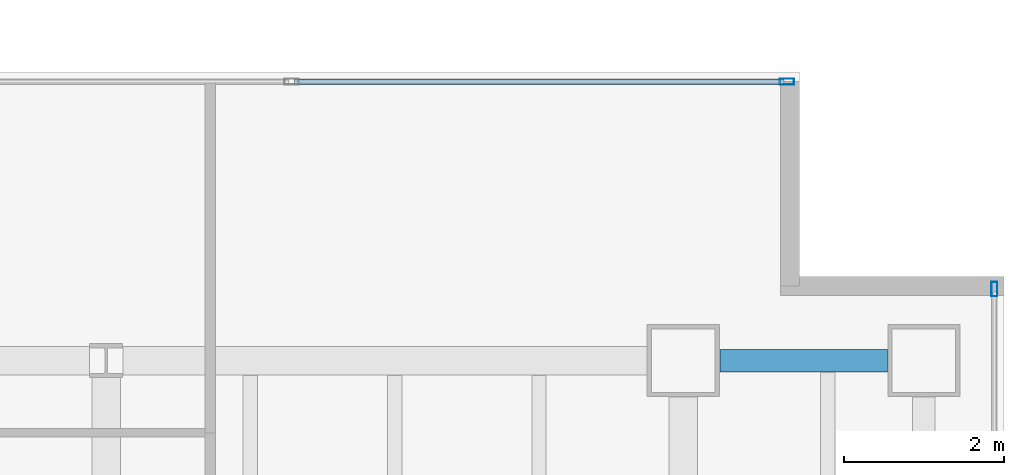
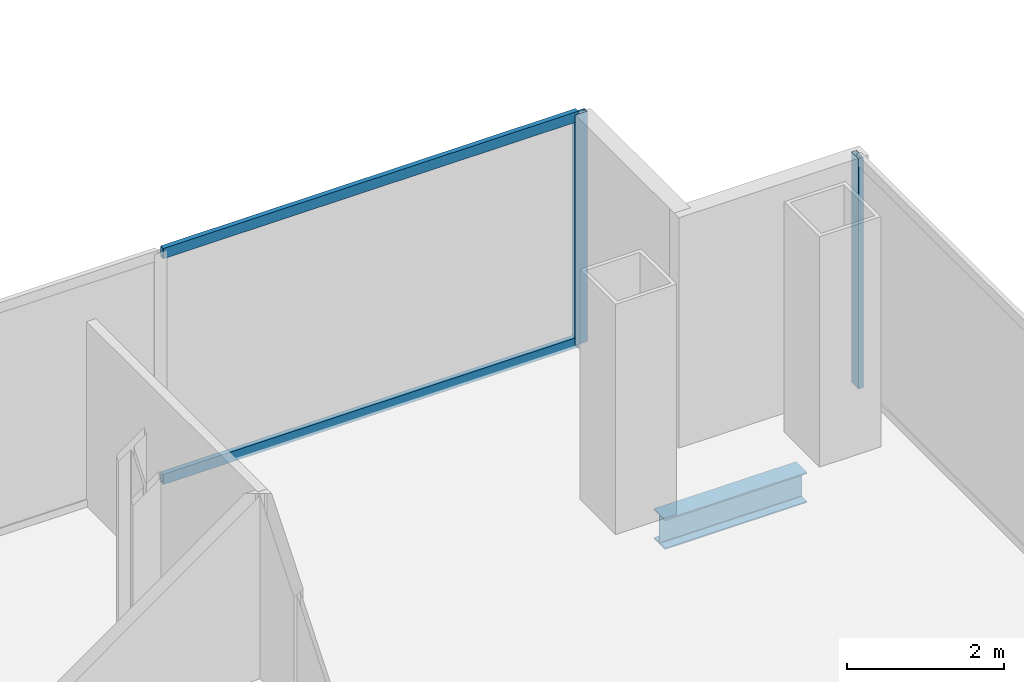
# One storey, part 15 of 23: 4 members, 1 beam, 2 elements without a shape of their own.
"""IFC4 building model written with IfcOpenShell, lengths in metres."""

from ifc_helpers import new_model, si_unit, direction, frame, origin, origin_2d, place, context, subcontext, project, spatial, hollow_rectangle, i_section, extrude, material, material_profile, profile_set, type_object, element, aggregate, save


model = new_model("IFC4")

# Units and contexts
model_context = context("Model", 3, precision=1e-05, world=origin(), true_north=direction((0.0, 1.0)))
body_context = subcontext(model_context, "Body", "Model", "MODEL_VIEW")
ifc_project = project(units=[si_unit("LENGTHUNIT", "METRE"), si_unit("AREAUNIT", "SQUARE_METRE"), si_unit("VOLUMEUNIT", "CUBIC_METRE"), si_unit("PLANEANGLEUNIT", "RADIAN"), si_unit("MASSUNIT", "GRAM", prefix="KILO")], contexts=[model_context])

# Site, building, storey
site_placement = place(None, origin())
site = spatial("IfcSite", under=ifc_project, at=site_placement, CompositionType="ELEMENT")
building_placement = place(site_placement, origin())
building = spatial("IfcBuilding", under=site, at=building_placement, Name="Cobrela Telecom Tower", CompositionType="ELEMENT")
storey_placement = place(building_placement, frame((0.0, 0.0, 133.0)))
storey = spatial("IfcBuildingStorey", under=building, at=storey_placement, Name="L33", CompositionType="ELEMENT", Elevation=133.0)

# Beam
ifc_material_1 = material(Name="Steel ASTM A992 Grade 50", Category="steel")
ifc_material_profile_1 = material_profile(ifc_material_1, i_section(OverallWidth=0.281982421875, OverallDepth=0.467041015625, WebThickness=0.01220703125, FlangeThickness=0.01953125, FilletRadius=0.012939453125, at=origin_2d()), Name="W18X86")
ifc_profile_set_1 = profile_set([ifc_material_profile_1], Name="Steel ASTM A992 Grade 50")
beam_type = type_object("IfcBeamType", Name="BM-SPAND-04", PredefinedType="SPANDREL", material=ifc_profile_set_1)
beam_placement = place(storey_placement, frame((43.655029296875, 21.60009765625, -0.50341796875), z_axis=(1.0, 0.0, 0.0), x_axis=(0.0, 1.0, 0.0)))
element("IfcBeam", 1, at=beam_placement, inside=storey, type_object=beam_type, Name="L33 Perimeter Spandrel X22", PredefinedType="SPANDREL", context=body_context, shape_type="SweptSolid", body=[
    extrude(i_section(OverallWidth=0.281982421875, OverallDepth=0.467041015625, WebThickness=0.01220703125, FlangeThickness=0.01953125, FilletRadius=0.012939453125, at=origin_2d()), origin(), (0.0, 0.0, 1.0), 2.090087890625),
])

# Curtain wall, member
ifc_material_2 = material(Name="Anodized Bronze Aluminium 6063-T6", Category="aluminium")
curtain_wall_type = type_object("IfcCurtainWallType", Name="CW-SYS-TEL", PredefinedType="USERDEFINED", material=ifc_material_2)
curtain_wall_1_placement = place(storey_placement, origin())
curtain_wall_1 = element("IfcCurtainWall", 2, at=curtain_wall_1_placement, inside=storey, type_object=curtain_wall_type, Name="L33 Unitised Bronze Curtain Wall 11", ObjectType="UNITISED CURTAIN WALL", PredefinedType="USERDEFINED")
ifc_material_profile_2 = material_profile(ifc_material_2, hollow_rectangle(XDim=0.074951171875, YDim=0.179931640625, WallThickness=0.00390625, at=origin_2d()), Name="ALU 75x180x4")
ifc_profile_set_2 = profile_set([ifc_material_profile_2], Name="Anodized Bronze Aluminium 6063-T6")
member_type_1 = type_object("IfcMemberType", Name="CW-SYS-TEL-MUL", PredefinedType="MULLION", material=ifc_profile_set_2)
member_1_placement = place(storey_placement, frame((44.492431640625, 25.080078125, 0.0), z_axis=(0.0, 0.0, 1.0), x_axis=(0.0, 1.0, 0.0)))
member_1 = element("IfcMember", 3, at=member_1_placement, type_object=member_type_1, Name="CW-TEL mullion 4", PredefinedType="MULLION", context=body_context, shape_type="SweptSolid", body=[
    extrude(hollow_rectangle(XDim=0.074951171875, YDim=0.179931640625, WallThickness=0.00390625, at=origin_2d()), origin(), (0.0, 0.0, 1.0), 3.580078125),
])

curtain_wall_2_placement = place(storey_placement, origin())
curtain_wall_2 = element("IfcCurtainWall", 4, at=curtain_wall_2_placement, inside=storey, type_object=curtain_wall_type, Name="L33 Unitised Bronze Curtain Wall 14", ObjectType="UNITISED CURTAIN WALL", PredefinedType="USERDEFINED")
member_2_placement = place(storey_placement, frame((47.080078125, 22.492431640625, 0.0), z_axis=(0.0, 0.0, 1.0), x_axis=(1.0, 0.0, 0.0)))
member_2 = element("IfcMember", 5, at=member_2_placement, type_object=member_type_1, Name="CW-TEL mullion 1", PredefinedType="MULLION", context=body_context, shape_type="SweptSolid", body=[
    extrude(hollow_rectangle(XDim=0.074951171875, YDim=0.179931640625, WallThickness=0.00390625, at=origin_2d()), origin(), (0.0, 0.0, 1.0), 3.580078125),
])
aggregate(curtain_wall_2, [member_2])

# Member
ifc_material_profile_3 = material_profile(ifc_material_2, hollow_rectangle(XDim=0.070068359375, YDim=0.159912109375, WallThickness=0.00390625, at=origin_2d()), Name="ALU 70x160x4")
ifc_profile_set_3 = profile_set([ifc_material_profile_3], Name="Anodized Bronze Aluminium 6063-T6")
member_type_2 = type_object("IfcMemberType", Name="CW-SYS-TEL-TRN", PredefinedType="USERDEFINED", material=ifc_profile_set_3)
member_3_placement = place(storey_placement, frame((38.350830078125, 25.080078125, 0.034912109375), z_axis=(1.0, 0.0, 0.0), x_axis=(0.0, 1.0, 0.0)))
member_3 = element("IfcMember", 6, at=member_3_placement, type_object=member_type_2, Name="CW-TEL transom 3.1", ObjectType="TRANSOM", PredefinedType="USERDEFINED", context=body_context, shape_type="SweptSolid", body=[
    extrude(hollow_rectangle(XDim=0.070068359375, YDim=0.159912109375, WallThickness=0.00390625, at=origin_2d()), origin(), (0.0, 0.0, 1.0), 6.104248046875),
])

member_4_placement = place(storey_placement, frame((38.350830078125, 25.080078125, 3.544921875), z_axis=(1.0, 0.0, 0.0), x_axis=(0.0, 1.0, 0.0)))
member_4 = element("IfcMember", 7, at=member_4_placement, type_object=member_type_2, Name="CW-TEL transom 3.2", ObjectType="TRANSOM", PredefinedType="USERDEFINED", context=body_context, shape_type="SweptSolid", body=[
    extrude(hollow_rectangle(XDim=0.070068359375, YDim=0.159912109375, WallThickness=0.00390625, at=origin_2d()), origin(), (0.0, 0.0, 1.0), 6.104248046875),
])

aggregate(curtain_wall_1, [member_1, member_3, member_4])

save(model, "model.ifc")
